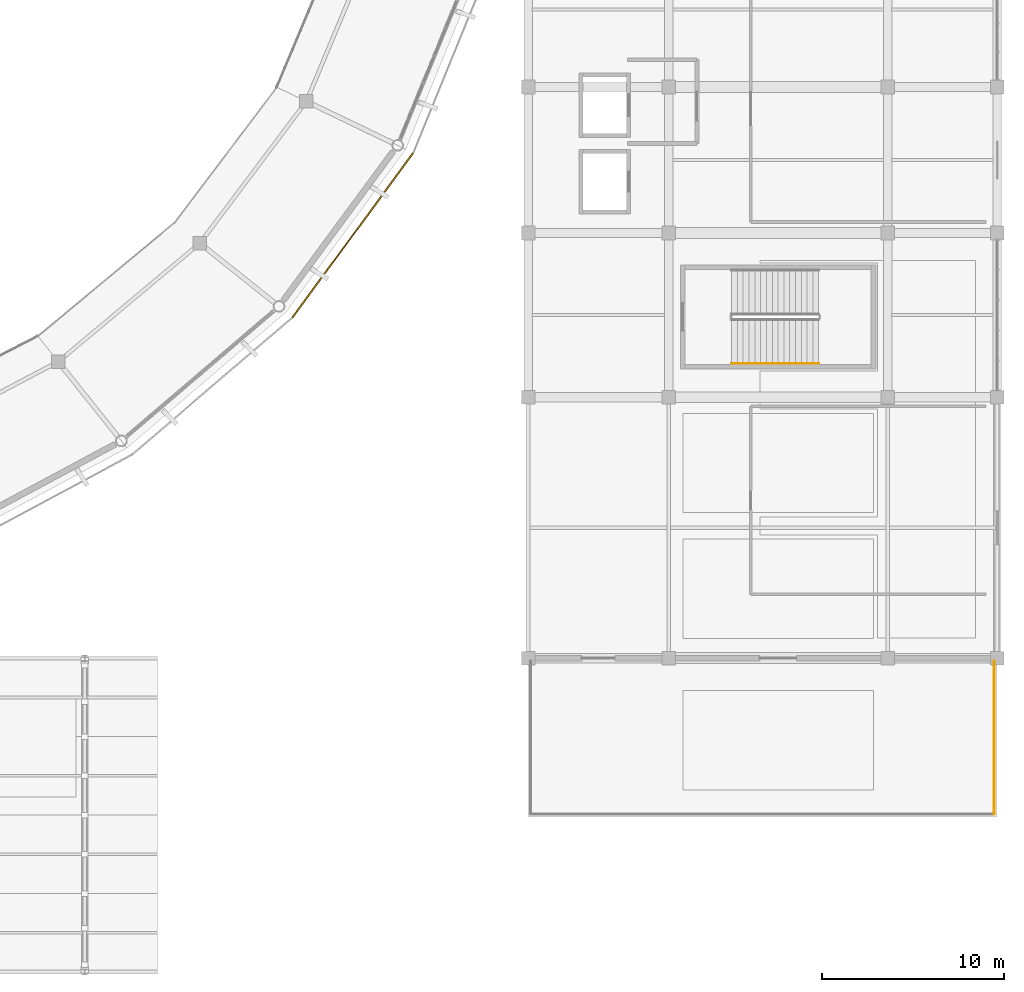
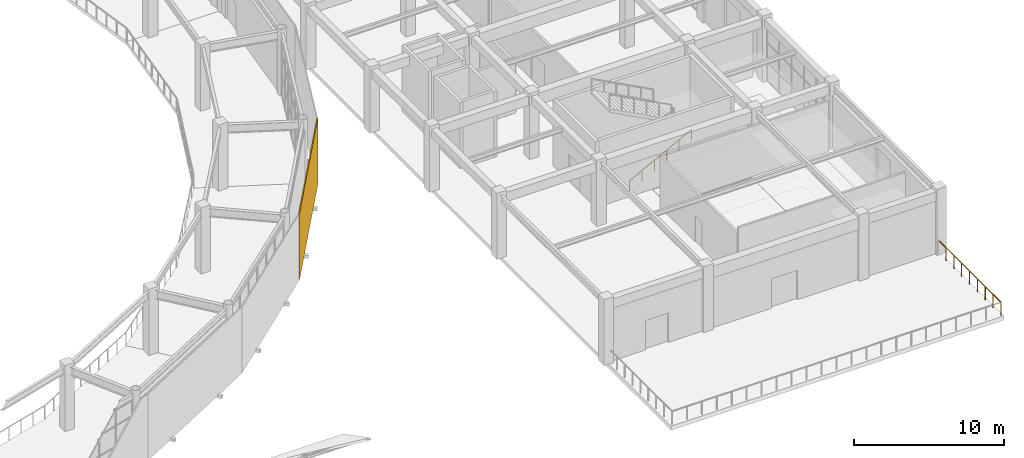
# One storey, part 67 of 70: 2 railings, 1 covering.
"""IFC4 building model written with IfcOpenShell, lengths in metres."""

from ifc_helpers import new_model, si_unit, direction, frame, frame_2d, origin, origin_2d, place, context, subcontext, project, spatial, rectangle, circle, extrude, material, layer, layer_set, type_object, element, save


model = new_model("IFC4")

# Units and contexts
model_context = context("Model", 3, precision=1e-05, world=origin(), true_north=direction((0.0, 1.0)))
body_context = subcontext(model_context, "Body", "Model", "MODEL_VIEW")
ifc_project = project(units=[si_unit("LENGTHUNIT", "METRE"), si_unit("AREAUNIT", "SQUARE_METRE"), si_unit("VOLUMEUNIT", "CUBIC_METRE"), si_unit("PLANEANGLEUNIT", "RADIAN"), si_unit("MASSUNIT", "GRAM", prefix="KILO")], contexts=[model_context])

# Site, building, storey
site_placement = place(None, origin())
site = spatial("IfcSite", under=ifc_project, at=site_placement, CompositionType="ELEMENT")
building_placement = place(site_placement, origin())
building = spatial("IfcBuilding", under=site, at=building_placement, Name="Cuetzalor Civic Arena", CompositionType="ELEMENT")
storey_placement = place(building_placement, frame((0.0, 0.0, 21.0)))
storey = spatial("IfcBuildingStorey", under=building, at=storey_placement, Name="L04", CompositionType="ELEMENT", Elevation=21.0)

# Railings
ifc_material_1 = material(Name="Galvanised steel S355", Category="steel")
railing_type_1 = type_object("IfcRailingType", Name="StairPitchHandrail_900", PredefinedType="HANDRAIL", material=ifc_material_1)
railing_1_placement = place(storey_placement, frame((67.449951171875, -32.14990234375, 0.168701171875)))
element("IfcRailing", 1, at=railing_1_placement, inside=storey, type_object=railing_type_1, Name="L04 ST-21 stair handrail 1", PredefinedType="HANDRAIL", context=body_context, shape_type="SweptSolid", body=[
    extrude(circle(Radius=0.02392578125, at=origin_2d()), frame((0.0, 0.0, 0.8759765625), z_axis=(0.883332211103, 0.0, 0.468747485143), x_axis=(0.0, 1.0, 0.0)), (0.0, 0.0, 1.0), 5.400146484375),
    extrude(circle(Radius=0.02099609375, at=origin_2d()), origin(), (0.0, 0.0, 1.0), 0.851806640625),
    extrude(circle(Radius=0.02099609375, at=origin_2d()), frame((0.9541015625, 0.0, 0.50634765625)), (0.0, 0.0, 1.0), 0.851806640625),
    extrude(circle(Radius=0.02099609375, at=origin_2d()), frame((1.907958984375, 0.0, 1.012451171875)), (0.0, 0.0, 1.0), 0.851806640625),
    extrude(circle(Radius=0.02099609375, at=origin_2d()), frame((2.862060546875, 0.0, 1.518798828125)), (0.0, 0.0, 1.0), 0.851806640625),
    extrude(circle(Radius=0.02099609375, at=origin_2d()), frame((3.81591796875, 0.0, 2.02490234375)), (0.0, 0.0, 1.0), 0.851806640625),
    extrude(circle(Radius=0.02099609375, at=origin_2d()), frame((4.77001953125, 0.0, 2.53125)), (0.0, 0.0, 1.0), 0.851806640625),
])
ifc_material_2 = material(Name="Reseda-green architectural Steel S355 balustrade", Category="steel")
railing_type_2 = type_object("IfcRailingType", Name="TerraceBalustrade_1100", PredefinedType="BALUSTRADE", material=ifc_material_2)
railing_2_placement = place(storey_placement, frame((81.85009765625, -56.85009765625, 0.0)))
element("IfcRailing", 2, at=railing_2_placement, inside=storey, type_object=railing_type_2, Name="Planted Roof Garden V4E L04 Balustrade 3", PredefinedType="BALUSTRADE", context=body_context, shape_type="SweptSolid", body=[
    extrude(circle(Radius=0.02392578125, at=origin_2d()), frame((0.0, 0.0, 1.076171875), z_axis=(0.0, 1.0, 0.0), x_axis=(-1.0, 0.0, 0.0)), (0.0, 0.0, 1.0), 8.400146484375),
    extrude(circle(Radius=0.02099609375, at=origin_2d()), origin(), (0.0, 0.0, 1.0), 1.052001953125),
    extrude(circle(Radius=0.02099609375, at=origin_2d()), frame((0.0, 1.050048828125, 0.0)), (0.0, 0.0, 1.0), 1.052001953125),
    extrude(circle(Radius=0.02099609375, at=origin_2d()), frame((0.0, 2.10009765625, 0.0)), (0.0, 0.0, 1.0), 1.052001953125),
    extrude(circle(Radius=0.02099609375, at=origin_2d()), frame((0.0, 3.150146484375, 0.0)), (0.0, 0.0, 1.0), 1.052001953125),
    extrude(circle(Radius=0.02099609375, at=origin_2d()), frame((0.0, 4.2001953125, 0.0)), (0.0, 0.0, 1.0), 1.052001953125),
    extrude(circle(Radius=0.02099609375, at=origin_2d()), frame((0.0, 5.25, 0.0)), (0.0, 0.0, 1.0), 1.052001953125),
    extrude(circle(Radius=0.02099609375, at=origin_2d()), frame((0.0, 6.300048828125, 0.0)), (0.0, 0.0, 1.0), 1.052001953125),
    extrude(circle(Radius=0.02099609375, at=origin_2d()), frame((0.0, 7.35009765625, 0.0)), (0.0, 0.0, 1.0), 1.052001953125),
    extrude(circle(Radius=0.02099609375, at=origin_2d()), frame((0.0, 8.400146484375, 0.0)), (0.0, 0.0, 1.0), 1.052001953125),
])

# Covering
ifc_material_3 = material(Name="Terracotta-red perforated anodised aluminium panel", Category="masonry")
ifc_layer = layer(ifc_material_3, 0.080078125)
ifc_layer_set = layer_set([ifc_layer], Name="Terracotta-red perforated anodised aluminium panel")
covering_type = type_object("IfcCoveringType", Name="TerracottaPerforatedScreenPanel", PredefinedType="CLADDING", material=ifc_layer_set)
covering_placement = place(storey_placement, frame((50.00390625, -20.609619140625, -0.139892578125), z_axis=(0.0, 0.0, 1.0), x_axis=(-0.591819224601, -0.806070719846, 0.0)))
element("IfcCovering", 3, at=covering_placement, inside=storey, type_object=covering_type, Name="Terracotta Perforated Drum Screen L04-S26", PredefinedType="CLADDING", context=body_context, shape_type="SweptSolid", body=[
    extrude(rectangle(XDim=11.1728515625, YDim=0.080078125, at=frame_2d((5.58642578125, 0.0))), origin(), (0.0, 0.0, 1.0), 5.419921875),
])

save(model, "model.ifc")
